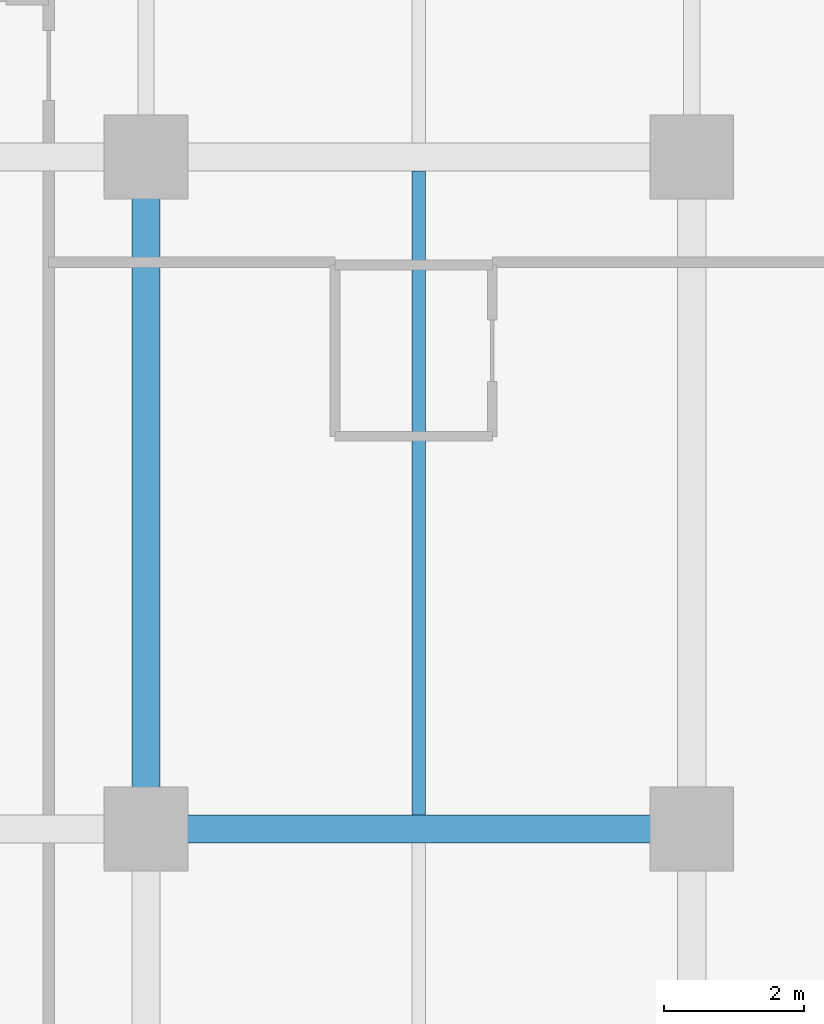
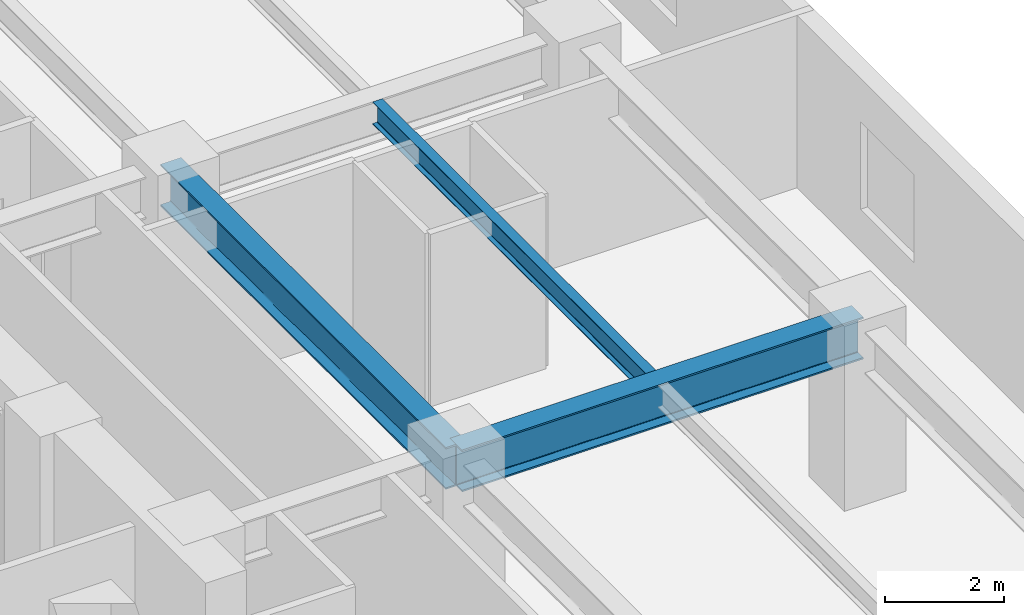
# One storey, part 2 of 13: 3 beams.
"""IFC4 building model written with IfcOpenShell, lengths in metres."""

from ifc_helpers import new_model, si_unit, direction, frame, origin, origin_2d, place, context, subcontext, project, spatial, i_section, extrude, material, material_profile, profile_set, type_object, element, save


model = new_model("IFC4")

# Units and contexts
model_context = context("Model", 3, precision=1e-05, world=origin(), true_north=direction((0.0, 1.0)))
body_context = subcontext(model_context, "Body", "Model", "MODEL_VIEW")
ifc_project = project(units=[si_unit("LENGTHUNIT", "METRE"), si_unit("AREAUNIT", "SQUARE_METRE"), si_unit("VOLUMEUNIT", "CUBIC_METRE"), si_unit("PLANEANGLEUNIT", "RADIAN"), si_unit("MASSUNIT", "GRAM", prefix="KILO")], contexts=[model_context])

# Site, building, storey
site_placement = place(None, origin())
site = spatial("IfcSite", under=ifc_project, at=site_placement, CompositionType="ELEMENT")
building_placement = place(site_placement, origin())
building = spatial("IfcBuilding", under=site, at=building_placement, Name="Kestravale Grand Hotel", CompositionType="ELEMENT")
storey_placement = place(building_placement, frame((0.0, 0.0, 88.0)))
storey = spatial("IfcBuildingStorey", under=building, at=storey_placement, Name="L21", CompositionType="ELEMENT", Elevation=88.0)

# Beams
ifc_material_1 = material(Name="Steel ASTM A992 Grade 50", Category="steel")
ifc_material_profile_1 = material_profile(ifc_material_1, i_section(OverallWidth=0.19091796875, OverallDepth=0.45703125, WebThickness=0.009033203125, FlangeThickness=0.014404296875, FilletRadius=0.015380859375, at=origin_2d()))
ifc_profile_set_1 = profile_set([ifc_material_profile_1], Name="Steel ASTM A992 Grade 50")
beam_type_1 = type_object("IfcBeamType", Name="B-FLR-JST18", PredefinedType="JOIST", material=ifc_profile_set_1)
beam_1_placement = place(storey_placement, frame((66.300048828125, 29.00048828125, 3.3115234375), z_axis=(0.0, 1.0, 0.0), x_axis=(-1.0, 0.0, 0.0)))
element("IfcBeam", 1, at=beam_1_placement, inside=storey, type_object=beam_type_1, Name="L21 floor joist 10-11/E-F #1", PredefinedType="JOIST", context=body_context, shape_type="SweptSolid", body=[
    extrude(i_section(OverallWidth=0.19091796875, OverallDepth=0.45703125, WebThickness=0.009033203125, FlangeThickness=0.014404296875, FilletRadius=0.015380859375, at=origin_2d()), origin(), (0.0, 0.0, 1.0), 9.198974609375),
])
ifc_material_2 = material(Name="Steel ASTM A992 Grade 50", Category="steel")
ifc_material_profile_2 = material_profile(ifc_material_2, i_section(OverallWidth=0.40087890625, OverallDepth=0.861083984375, WebThickness=0.019775390625, FlangeThickness=0.032470703125, FilletRadius=0.0234375, at=origin_2d()))
ifc_profile_set_2 = profile_set([ifc_material_profile_2], Name="Steel ASTM A992 Grade 50")
beam_type_2 = type_object("IfcBeamType", Name="B-GRD-W33", PredefinedType="BEAM", material=ifc_profile_set_2)
beam_2_placement = place(storey_placement, frame((62.39990234375, 28.800048828125, 3.109619140625), z_axis=(1.0, 0.0, 0.0), x_axis=(0.0, 1.0, 0.0)))
element("IfcBeam", 2, at=beam_2_placement, inside=storey, type_object=beam_type_2, Name="L21 girder E:10-11", PredefinedType="BEAM", context=body_context, shape_type="SweptSolid", body=[
    extrude(i_section(OverallWidth=0.40087890625, OverallDepth=0.861083984375, WebThickness=0.019775390625, FlangeThickness=0.032470703125, FilletRadius=0.0234375, at=origin_2d()), origin(), (0.0, 0.0, 1.0), 7.800048828125),
])
beam_3_placement = place(storey_placement, frame((62.39990234375, 28.800048828125, 3.109619140625), z_axis=(0.0, 1.0, 0.0), x_axis=(-1.0, 0.0, 0.0)))
element("IfcBeam", 3, at=beam_3_placement, inside=storey, type_object=beam_type_2, Name="L21 girder 10:E-F", PredefinedType="BEAM", context=body_context, shape_type="SweptSolid", body=[
    extrude(i_section(OverallWidth=0.40087890625, OverallDepth=0.861083984375, WebThickness=0.019775390625, FlangeThickness=0.032470703125, FilletRadius=0.0234375, at=origin_2d()), origin(), (0.0, 0.0, 1.0), 9.599853515625),
])

save(model, "model.ifc")
